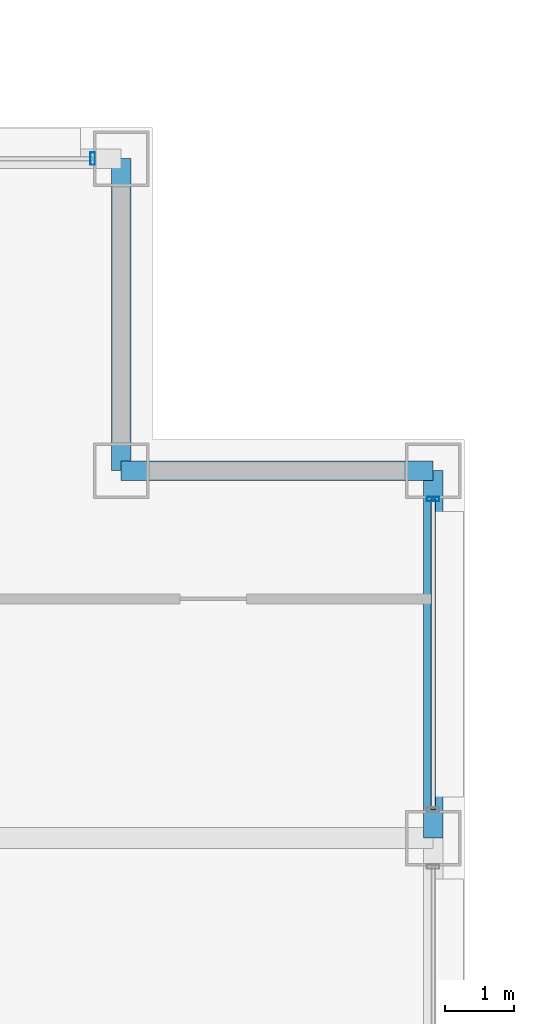
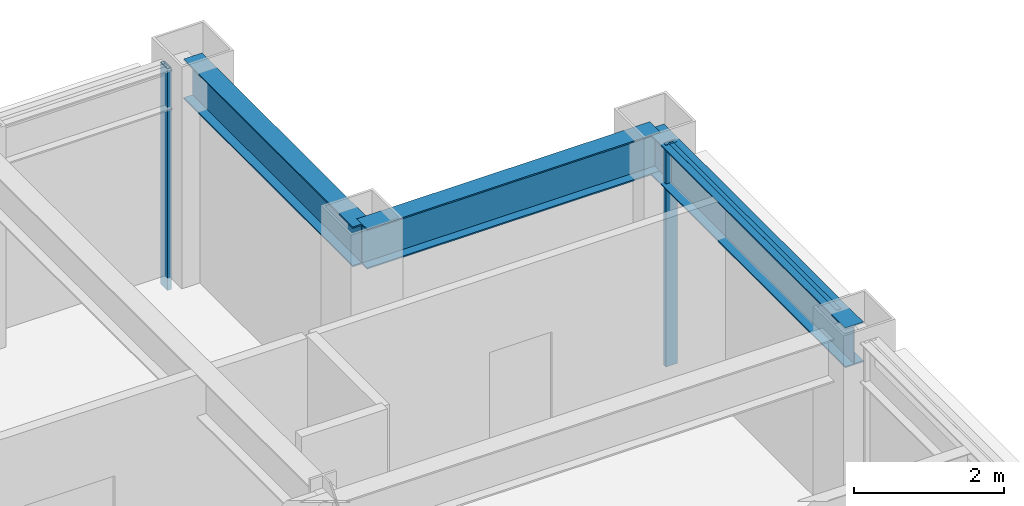
# One storey, part 22 of 29: 3 beams, 3 members, 2 elements without a shape of their own.
"""IFC4 building model written with IfcOpenShell, lengths in metres."""

from ifc_helpers import new_model, si_unit, direction, frame, origin, origin_2d, place, context, subcontext, project, spatial, hollow_rectangle, i_section, extrude, material, layer, layer_set, material_profile, profile_set, type_object, element, aggregate, save


model = new_model("IFC4")

# Units and contexts
model_context = context("Model", 3, precision=1e-05, world=origin(), true_north=direction((0.0, 1.0)))
body_context = subcontext(model_context, "Body", "Model", "MODEL_VIEW")
ifc_project = project(units=[si_unit("LENGTHUNIT", "METRE"), si_unit("AREAUNIT", "SQUARE_METRE"), si_unit("VOLUMEUNIT", "CUBIC_METRE"), si_unit("PLANEANGLEUNIT", "RADIAN"), si_unit("MASSUNIT", "GRAM", prefix="KILO")], contexts=[model_context])

# Site, building, storey
site_placement = place(None, origin())
site = spatial("IfcSite", under=ifc_project, at=site_placement, CompositionType="ELEMENT")
building_placement = place(site_placement, origin())
building = spatial("IfcBuilding", under=site, at=building_placement, Name="Brelmoor Portico Tower", CompositionType="ELEMENT")
storey_placement = place(building_placement, frame((0.0, 0.0, 135.0)))
storey = spatial("IfcBuildingStorey", under=building, at=storey_placement, Name="L35", CompositionType="ELEMENT", Elevation=135.0)

# Beams
ifc_material_1 = material(Name="Steel Q355B", Category="steel")
ifc_material_profile_1 = material_profile(ifc_material_1, i_section(OverallWidth=0.280029296875, OverallDepth=0.64990234375, WebThickness=0.012939453125, FlangeThickness=0.02197265625, at=origin_2d()), Name="HN 650x280x13x22")
ifc_profile_set_1 = profile_set([ifc_material_profile_1], Name="Steel Q355B")
beam_type = type_object("IfcBeamType", Name="BM-SP-650", PredefinedType="SPANDREL", material=ifc_profile_set_1)
for number, where, z_axis, x_axis, name in (
    (1, (18.050048828125, 15.050048828125, 3.074951171875), (1.0, 0.0, 0.0), (0.0, 1.0, 0.0), "L35 Perimeter Spandrel Beam SP-09"),
    (2, (18.050048828125, 15.050048828125, 3.074951171875), (0.0, 1.0, 0.0), (-1.0, 0.0, 0.0), "L35 Perimeter Spandrel Beam SP-21"),
):
    element("IfcBeam", number, at=place(storey_placement, frame(where, z_axis=z_axis, x_axis=x_axis)), inside=storey, type_object=beam_type, Name=name, PredefinedType="SPANDREL", context=body_context, shape_type="SweptSolid", body=[
        extrude(i_section(OverallWidth=0.280029296875, OverallDepth=0.64990234375, WebThickness=0.012939453125, FlangeThickness=0.02197265625, at=origin_2d()), origin(), (0.0, 0.0, 1.0), 4.5),
    ])
beam_placement = place(storey_placement, frame((22.550048828125, 9.75, 3.074951171875), z_axis=(0.0, 1.0, 0.0), x_axis=(-1.0, 0.0, 0.0)))
element("IfcBeam", 3, at=beam_placement, inside=storey, type_object=beam_type, Name="L35 Perimeter Spandrel Beam SP-24", PredefinedType="SPANDREL", context=body_context, shape_type="SweptSolid", body=[
    extrude(i_section(OverallWidth=0.280029296875, OverallDepth=0.64990234375, WebThickness=0.012939453125, FlangeThickness=0.02197265625, at=origin_2d()), origin(), (0.0, 0.0, 1.0), 5.300048828125),
])

# Curtain wall, member
ifc_material_2 = material(Name="Anodised Aluminium Alloy 6063-T6", Category="aluminium")
ifc_layer = layer(ifc_material_2, 0.179931640625)
ifc_layer_set = layer_set([ifc_layer], Name="Anodised Aluminium Alloy 6063-T6")
curtain_wall_type = type_object("IfcCurtainWallType", Name="CW-TOWER-Z2-XB", PredefinedType="NOTDEFINED", material=ifc_layer_set)
curtain_wall_1_placement = place(storey_placement, origin())
curtain_wall_1 = element("IfcCurtainWall", 4, at=curtain_wall_1_placement, inside=storey, type_object=curtain_wall_type, Name="L35 Curtain Wall CW-L35-2R-3", PredefinedType="NOTDEFINED")
ifc_material_profile_2 = material_profile(ifc_material_2, hollow_rectangle(XDim=0.06494140625, YDim=0.179931640625, WallThickness=0.00390625, at=origin_2d()), Name="ALU MULLION 65x180")
ifc_profile_set_2 = profile_set([ifc_material_profile_2], Name="Anodised Aluminium Alloy 6063-T6")
member_type_1 = type_object("IfcMemberType", Name="MB-CW-MULL-180", PredefinedType="MULLION", material=ifc_profile_set_2)
member_1_placement = place(storey_placement, frame((17.639892578125, 19.550048828125, -0.199951171875), z_axis=(0.0, 0.0, 1.0), x_axis=(1.0, 0.0, 0.0)))
member_1 = element("IfcMember", 5, at=member_1_placement, type_object=member_type_1, Name="CW-L35-2R-3 Mullion 01", PredefinedType="MULLION", context=body_context, shape_type="SweptSolid", body=[
    extrude(hollow_rectangle(XDim=0.06494140625, YDim=0.179931640625, WallThickness=0.00390625, at=origin_2d()), origin(), (0.0, 0.0, 1.0), 3.599853515625),
])
aggregate(curtain_wall_1, [member_1])

# Curtain wall, members
curtain_wall_2_placement = place(storey_placement, origin())
curtain_wall_2 = element("IfcCurtainWall", 6, at=curtain_wall_2_placement, inside=storey, type_object=curtain_wall_type, Name="L35 Curtain Wall CW-L35-4R-2", PredefinedType="NOTDEFINED")
member_2_placement = place(storey_placement, frame((22.550048828125, 14.639892578125, -0.199951171875), z_axis=(0.0, 0.0, 1.0), x_axis=(0.0, 1.0, 0.0)))
member_2 = element("IfcMember", 7, at=member_2_placement, type_object=member_type_1, Name="CW-L35-4R-2 Mullion 01", PredefinedType="MULLION", context=body_context, shape_type="SweptSolid", body=[
    extrude(hollow_rectangle(XDim=0.06494140625, YDim=0.179931640625, WallThickness=0.00390625, at=origin_2d()), origin(), (0.0, 0.0, 1.0), 3.599853515625),
])
ifc_material_profile_3 = material_profile(ifc_material_2, hollow_rectangle(XDim=0.06494140625, YDim=0.139892578125, WallThickness=0.00390625, at=origin_2d()), Name="ALU TRANSOM 65x140")
ifc_profile_set_3 = profile_set([ifc_material_profile_3], Name="Anodised Aluminium Alloy 6063-T6")
member_type_2 = type_object("IfcMemberType", Name="MB-CW-TRAN-140", PredefinedType="USERDEFINED", material=ifc_profile_set_3)
member_3_placement = place(storey_placement, frame((22.550048828125, 10.159912109375, 3.330078125), z_axis=(0.0, 1.0, 0.0), x_axis=(-1.0, 0.0, 0.0)))
member_3 = element("IfcMember", 8, at=member_3_placement, type_object=member_type_2, Name="CW-L35-4R-2 Transom 1-00", ObjectType="TRANSOM", PredefinedType="USERDEFINED", context=body_context, shape_type="SweptSolid", body=[
    extrude(hollow_rectangle(XDim=0.06494140625, YDim=0.139892578125, WallThickness=0.00390625, at=origin_2d()), origin(), (0.0, 0.0, 1.0), 4.47998046875),
])
aggregate(curtain_wall_2, [member_2, member_3])

save(model, "model.ifc")
